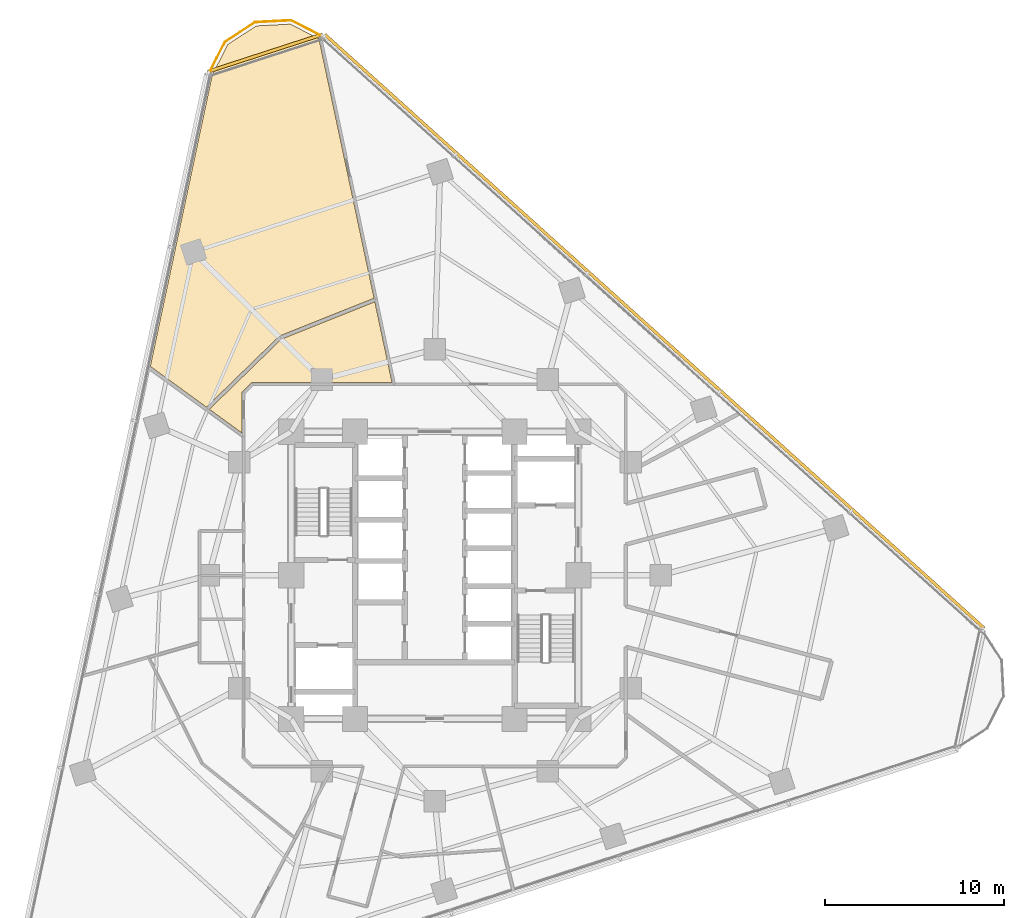
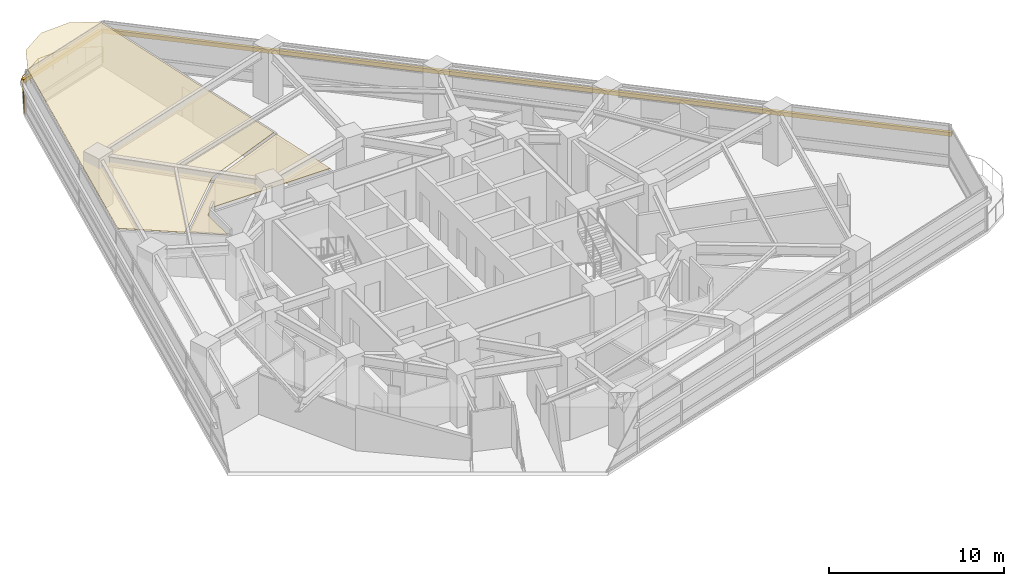
# One storey, part 13 of 13: 2 coverings, 2 shading devices, 1 railing.
"""IFC4 building model written with IfcOpenShell, lengths in metres."""

from ifc_helpers import new_model, si_unit, direction, frame, origin, origin_2d, place, context, subcontext, project, spatial, polyline, rectangle, circle, outline, extrude, material, layer, layer_set, type_object, element, save


model = new_model("IFC4")

# Units and contexts
model_context = context("Model", 3, precision=1e-05, world=origin(), true_north=direction((0.0, 1.0)))
body_context = subcontext(model_context, "Body", "Model", "MODEL_VIEW")
ifc_project = project(units=[si_unit("LENGTHUNIT", "METRE"), si_unit("AREAUNIT", "SQUARE_METRE"), si_unit("VOLUMEUNIT", "CUBIC_METRE"), si_unit("PLANEANGLEUNIT", "RADIAN"), si_unit("MASSUNIT", "GRAM", prefix="KILO")], contexts=[model_context])

# Site, building, storey
site_placement = place(None, origin())
site = spatial("IfcSite", under=ifc_project, at=site_placement, CompositionType="ELEMENT")
building_placement = place(site_placement, origin())
building = spatial("IfcBuilding", under=site, at=building_placement, Name="Terralouvre Media Tower", CompositionType="ELEMENT")
storey_placement = place(building_placement, frame((0.0, 0.0, 90.300048828125)))
storey = spatial("IfcBuildingStorey", under=building, at=storey_placement, Name="L22", CompositionType="ELEMENT", Elevation=90.300048828125)

# Coverings
ifc_material_1 = material(Name="Perforated aluminium acoustic ceiling baffle", Category="aluminium")
ifc_layer_1 = layer(ifc_material_1, 0.0400390625, Name="Perforated Acoustic Metal Tile Ceiling CL-AC1")
ifc_layer_set_1 = layer_set([ifc_layer_1], Name="Perforated aluminium acoustic ceiling baffle")
covering_type = type_object("IfcCoveringType", Name="Perforated Acoustic Metal Tile Ceiling CL-AC1", PredefinedType="CEILING", material=ifc_layer_set_1)
covering_1_placement = place(storey_placement, frame((0.0, 0.0, 2.97998046875), z_axis=(0.0, 0.0, 1.0), x_axis=(0.951056516295, 0.309016994375, 0.0)))
element("IfcCovering", 1, at=covering_1_placement, inside=storey, type_object=covering_type, Name="L22 Dolby Preview Screening Cinema 9 Acoustic Ceiling", PredefinedType="CEILING", context=body_context, shape_type="SweptSolid", body=[
    extrude(outline(polyline([(-9.211181640625, 12.84765625), (-4.13330078125, 15.351318359375), (-4.124267578125, 15.35498046875), (-4.114990234375, 15.358154296875), (-4.10546875, 15.360107421875), (-4.095703125, 15.361328125), (1.552978515625, 15.731689453125), (3.0986328125, 30.4345703125), (1.825927734375, 31.707275390625), (0.000244140625, 32.1962890625), (-1.826416015625, 31.70703125), (-3.1845703125, 30.3486328125), (-11.483154296875, 15.97509765625), (-9.211181640625, 12.84765625)])), origin(), (0.0, 0.0, 1.0), 0.0400390625),
])
covering_2_placement = place(storey_placement, frame((0.0, 0.0, 2.97998046875), z_axis=(0.0, 0.0, 1.0), x_axis=(0.951056516295, 0.309016994375, 0.0)))
element("IfcCovering", 2, at=covering_2_placement, inside=storey, type_object=covering_type, Name="L22 Client Cut Review Theatre 10 Acoustic Ceiling", PredefinedType="CEILING", context=body_context, shape_type="SweptSolid", body=[
    extrude(outline(polyline([(-4.062744140625, 15.1630859375), (-9.091796875, 12.68359375), (-7.77197265625, 10.867919921875), (-7.08740234375, 12.97509765625), (-7.083740234375, 12.984375), (-7.07958984375, 12.9931640625), (-7.07421875, 13.00146484375), (-7.068359375, 13.00927734375), (-7.0615234375, 13.016357421875), (-7.05419921875, 13.022705078125), (-7.046142578125, 13.0283203125), (-7.03759765625, 13.033447265625), (-6.407470703125, 13.354248046875), (-6.398681640625, 13.3583984375), (-6.389404296875, 13.361572265625), (-6.379638671875, 13.36376953125), (-6.3701171875, 13.364990234375), (-6.360107421875, 13.365234375), (-6.350341796875, 13.364501953125), (-6.3408203125, 13.363037109375), (-6.331298828125, 13.3603515625), (1.05126953125, 10.961669921875), (1.53173828125, 15.52978515625), (-4.062744140625, 15.1630859375)])), origin(), (0.0, 0.0, 1.0), 0.0400390625),
])

# Railing
ifc_material_2 = material(Name="Stainless steel 316 handrail and balustrade", Category="steel")
ifc_layer_2 = layer(ifc_material_2, 0.06005859375, Name="Roof Edge Safety Guardrail GR-ROOF1")
ifc_layer_set_2 = layer_set([ifc_layer_2], Name="Stainless steel 316 handrail and balustrade")
railing_type = type_object("IfcRailingType", Name="Roof Edge Safety Guardrail GR-ROOF1", PredefinedType="GUARDRAIL", material=ifc_layer_set_2)
railing_placement = place(storey_placement, frame((-6.221435546875, 30.015869140625, 0.0)))
element("IfcRailing", 3, at=railing_placement, inside=storey, type_object=railing_type, Name="L22 Wind-Corner Perimeter Safety Guardrail C2", PredefinedType="GUARDRAIL", context=body_context, shape_type="SweptSolid", body=[
    extrude(circle(Radius=0.02099609375, at=origin_2d()), frame((0.0, 0.0, 1.12890625), z_axis=(-0.890922546915, 0.454155276748, 0.0), x_axis=(-0.454155276748, -0.890922546915, 0.0)), (0.0, 0.0, 1.0), 2.0078125),
    extrude(circle(Radius=0.02099609375, at=origin_2d()), frame((-1.788818359375, 0.911865234375, 1.12890625), z_axis=(-0.998637914219, -0.052175820874, 0.0), x_axis=(0.052175820874, -0.998637914219, 0.0)), (0.0, 0.0, 1.0), 2.00732421875),
    extrude(circle(Radius=0.02099609375, at=origin_2d()), frame((-3.79345703125, 0.80712890625, 1.12890625), z_axis=(-0.838632501794, -0.544697647264, 0.0), x_axis=(0.544697647264, -0.838632501794, 0.0)), (0.0, 0.0, 1.0), 2.007568359375),
    extrude(circle(Radius=0.02099609375, at=origin_2d()), frame((-5.47705078125, -0.286376953125, 1.12890625), z_axis=(-0.453767310879, -0.891120209387, 0.0), x_axis=(0.891120209387, -0.453767310879, 0.0)), (0.0, 0.0, 1.0), 2.0078125),
    extrude(circle(Radius=0.01904296875, at=origin_2d()), origin(), (0.0, 0.0, 1.0), 1.10791015625),
    extrude(circle(Radius=0.01904296875, at=origin_2d()), frame((-0.89453125, 0.4560546875, 0.0)), (0.0, 0.0, 1.0), 1.10791015625),
    extrude(circle(Radius=0.01904296875, at=origin_2d()), frame((-1.788818359375, 0.911865234375, 0.0)), (0.0, 0.0, 1.0), 1.10791015625),
    extrude(circle(Radius=0.01904296875, at=origin_2d()), frame((-2.791015625, 0.859375, 0.0)), (0.0, 0.0, 1.0), 1.10791015625),
    extrude(circle(Radius=0.01904296875, at=origin_2d()), frame((-3.79345703125, 0.80712890625, 0.0)), (0.0, 0.0, 1.0), 1.10791015625),
    extrude(circle(Radius=0.01904296875, at=origin_2d()), frame((-4.63525390625, 0.26025390625, 0.0)), (0.0, 0.0, 1.0), 1.10791015625),
    extrude(circle(Radius=0.01904296875, at=origin_2d()), frame((-5.47705078125, -0.286376953125, 0.0)), (0.0, 0.0, 1.0), 1.10791015625),
    extrude(circle(Radius=0.01904296875, at=origin_2d()), frame((-5.9326171875, -1.18115234375, 0.0)), (0.0, 0.0, 1.0), 1.10791015625),
    extrude(circle(Radius=0.01904296875, at=origin_2d()), frame((-6.38818359375, -2.07568359375, 0.0)), (0.0, 0.0, 1.0), 1.10791015625),
])

# Shading devices
ifc_material_3 = material(Name="Extruded terracotta baguette sunshade louvres", Category="masonry")
shading_device_type = type_object("IfcShadingDeviceType", Name="Terracotta Baguette Sunshade Louvre Screen TB-LV1", PredefinedType="USERDEFINED", material=ifc_material_3)
shading_device_1_placement = place(storey_placement, frame((12.23974609375, 13.59375, 2.02392578125), z_axis=(0.0, 0.0, 1.0), x_axis=(-0.743144795545, 0.669130639602, 0.0)))
element("IfcShadingDevice", 4, at=shading_device_1_placement, inside=storey, type_object=shading_device_type, Name="CW-L22-F1 Terracotta Baguette Sunshade Louvre", ObjectType="BAGUETTE", PredefinedType="USERDEFINED", context=body_context, shape_type="SweptSolid", body=[
    extrude(rectangle(XDim=49.43994140625, YDim=0.179931640625, at=origin_2d()), origin(), (0.0, 0.0, 1.0), 0.280029296875),
])
shading_device_2_placement = place(storey_placement, frame((-9.457275390625, 29.106201171875, 2.02392578125), z_axis=(0.0, 0.0, 1.0), x_axis=(-0.951056286408, -0.309017701894, 0.0)))
element("IfcShadingDevice", 5, at=shading_device_2_placement, inside=storey, type_object=shading_device_type, Name="CW-L22-C2 Terracotta Baguette Sunshade Louvre", ObjectType="BAGUETTE", PredefinedType="USERDEFINED", context=body_context, shape_type="SweptSolid", body=[
    extrude(rectangle(XDim=6.720458984375, YDim=0.179931640625, at=origin_2d()), origin(), (0.0, 0.0, 1.0), 0.280029296875),
])

save(model, "model.ifc")
